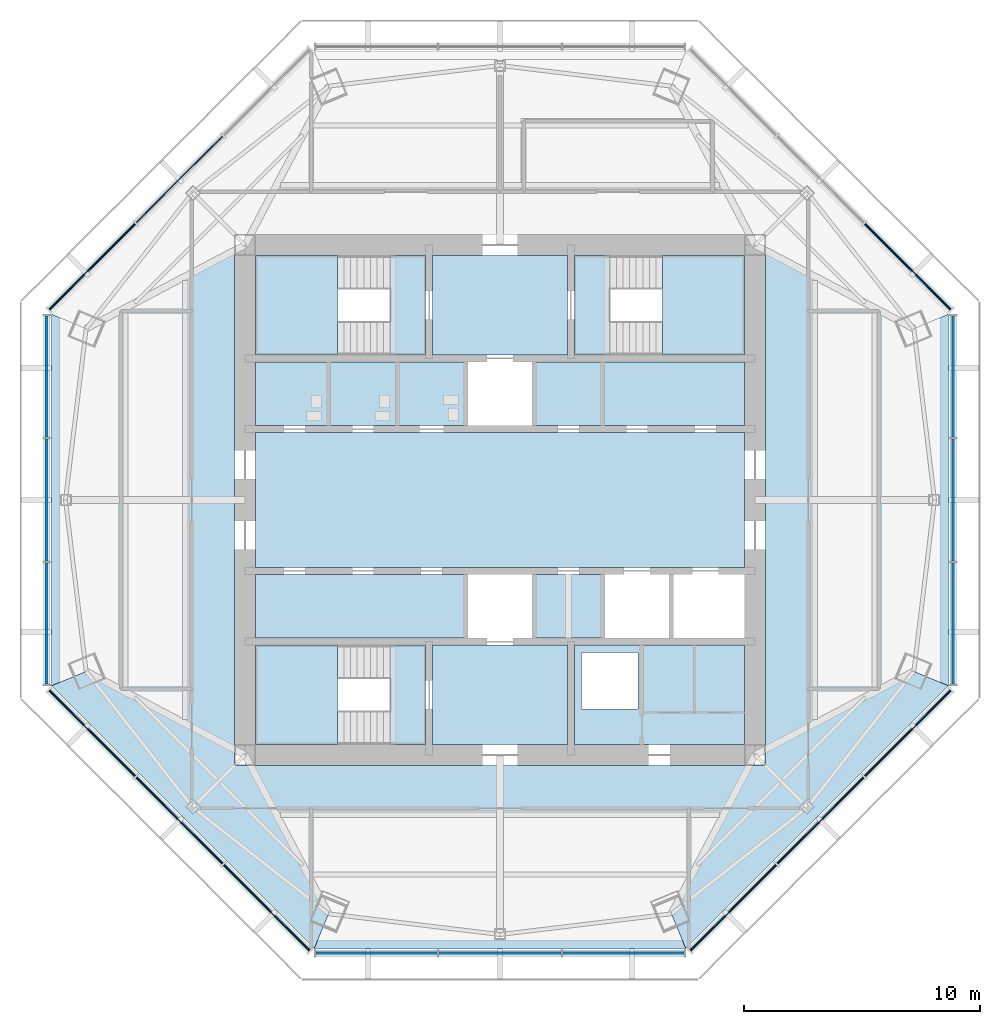
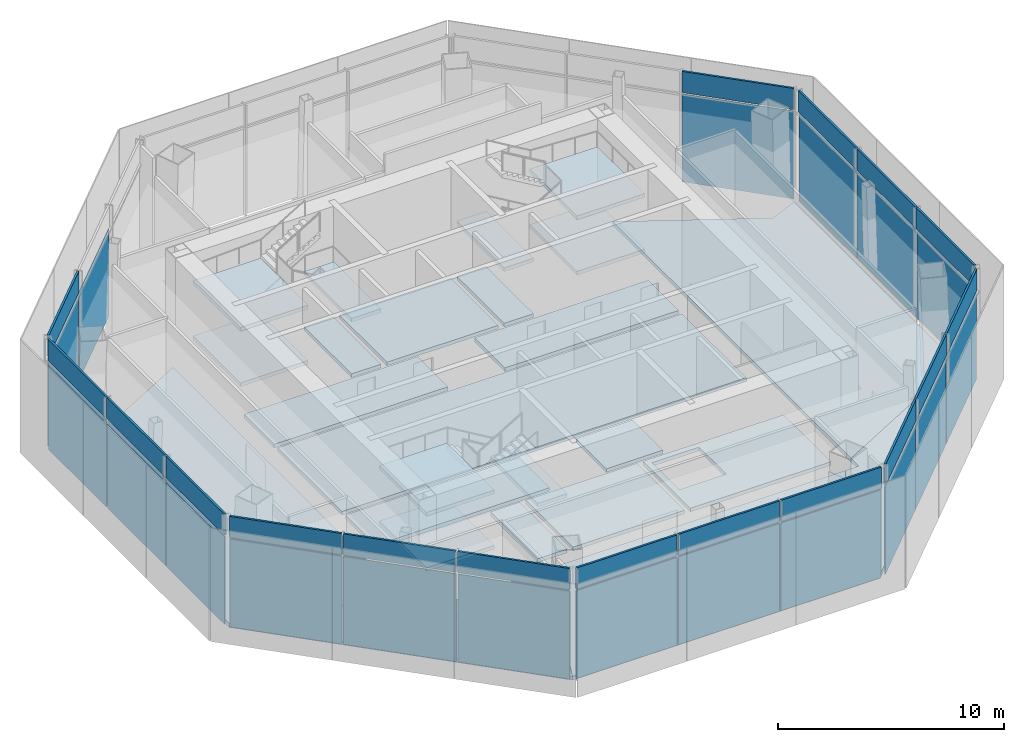
# One storey, part 3 of 11: 35 plates, 25 slabs, 10 elements without a shape of their own.
"""IFC4 building model written with IfcOpenShell, lengths in metres."""

from ifc_helpers import new_model, si_unit, direction, frame, origin, origin_2d, place, context, subcontext, project, spatial, polyline, rectangle, outline, extrude, source, transform, mapped, material, layer, layer_set, type_object, type_shapes, element, aggregate, save


model = new_model("IFC4")

# Units and contexts
model_context = context("Model", 3, precision=1e-05, world=origin(), true_north=direction((0.0, 1.0)))
body_context = subcontext(model_context, "Body", "Model", "MODEL_VIEW")
ifc_project = project(units=[si_unit("LENGTHUNIT", "METRE"), si_unit("AREAUNIT", "SQUARE_METRE"), si_unit("VOLUMEUNIT", "CUBIC_METRE"), si_unit("PLANEANGLEUNIT", "RADIAN"), si_unit("MASSUNIT", "GRAM", prefix="KILO")], contexts=[model_context])

# Site, building, storey
site_placement = place(None, origin())
site = spatial("IfcSite", under=ifc_project, at=site_placement, CompositionType="ELEMENT")
building_placement = place(site_placement, origin())
building = spatial("IfcBuilding", under=site, at=building_placement, Name="Mashrafa Tower", CompositionType="ELEMENT")
storey_placement = place(building_placement, frame((0.0, 0.0, 311.60009765625)))
storey = spatial("IfcBuildingStorey", under=building, at=storey_placement, Name="L77", CompositionType="ELEMENT", Elevation=311.60009765625)

# Slabs
ifc_material_1 = material(Name="Concrete C35/45", Category="concrete")
ifc_layer_1 = layer(ifc_material_1, 0.199951171875)
ifc_layer_set_1 = layer_set([ifc_layer_1], Name="Floor slab 200")
slab_type_1 = type_object("IfcSlabType", Name="Floor slab 200", PredefinedType="FLOOR", material=ifc_layer_set_1)
slab_1_placement = place(storey_placement, frame((0.0, 0.0, -0.2001953125)))
element("IfcSlab", 1, at=slab_1_placement, inside=storey, type_object=slab_type_1, Name="Floor slab L77 east bay", PredefinedType="FLOOR", context=body_context, shape_type="SweptSolid", body=[
    extrude(outline(polyline([(19.0, -7.8701171875), (17.527587890625, -7.260009765625), (11.25, -10.563232421875), (11.25, 10.563232421875), (17.527587890625, 7.260009765625), (19.0, 7.8701171875), (19.0, -7.8701171875)])), origin(), (0.0, 0.0, 1.0), 0.2001953125),
])
slab_2_placement = place(storey_placement, frame((0.0, 0.0, -0.2001953125)))
element("IfcSlab", 2, at=slab_2_placement, inside=storey, type_object=slab_type_1, Name="Floor slab L77 west bay", PredefinedType="FLOOR", context=body_context, shape_type="SweptSolid", body=[
    extrude(outline(polyline([(-19.0, 7.8701171875), (-17.527587890625, 7.260009765625), (-11.25, 10.563232421875), (-11.25, -10.563232421875), (-17.527587890625, -7.260009765625), (-19.0, -7.8701171875), (-19.0, 7.8701171875)])), origin(), (0.0, 0.0, 1.0), 0.2001953125),
])
slab_3_placement = place(storey_placement, frame((0.0, 0.0, -0.2001953125)))
element("IfcSlab", 3, at=slab_3_placement, inside=storey, type_object=slab_type_1, Name="Floor slab L77 south-west bay", PredefinedType="FLOOR", context=body_context, shape_type="SweptSolid", body=[
    extrude(outline(polyline([(-7.8701171875, -19.0), (-19.0, -7.8701171875), (-19.0, -7.8701171875), (-17.527587890625, -7.260009765625), (-11.25, -10.563232421875), (-11.25, -11.25), (-10.563232421875, -11.25), (-7.260009765625, -17.527587890625), (-7.8701171875, -19.0), (-7.8701171875, -19.0)])), origin(), (0.0, 0.0, 1.0), 0.2001953125),
])
slab_4_placement = place(storey_placement, frame((0.0, 0.0, -0.2001953125)))
element("IfcSlab", 4, at=slab_4_placement, inside=storey, type_object=slab_type_1, Name="Floor slab L77 south bay", PredefinedType="FLOOR", context=body_context, shape_type="SweptSolid", body=[
    extrude(outline(polyline([(-7.8701171875, -19.0), (-7.260009765625, -17.527587890625), (-10.563232421875, -11.25), (10.563232421875, -11.25), (7.260009765625, -17.527587890625), (7.8701171875, -19.0), (-7.8701171875, -19.0)])), origin(), (0.0, 0.0, 1.0), 0.2001953125),
])
slab_5_placement = place(storey_placement, frame((0.0, 0.0, -0.2001953125)))
element("IfcSlab", 5, at=slab_5_placement, inside=storey, type_object=slab_type_1, Name="Floor slab L77 south-east bay", PredefinedType="FLOOR", context=body_context, shape_type="SweptSolid", body=[
    extrude(outline(polyline([(7.8701171875, -19.0), (7.260009765625, -17.527587890625), (10.563232421875, -11.25), (11.25, -11.25), (11.25, -10.563232421875), (17.527587890625, -7.260009765625), (19.0, -7.8701171875), (19.0, -7.8701171875), (7.8701171875, -19.0), (7.8701171875, -19.0)])), origin(), (0.0, 0.0, 1.0), 0.2001953125),
])
slab_6_placement = place(storey_placement, frame((0.0, 0.0, -0.2001953125)))
element("IfcSlab", 6, at=slab_6_placement, inside=storey, type_object=slab_type_1, Name="Core floor lift hall L77", PredefinedType="FLOOR", context=body_context, shape_type="SweptSolid", body=[
    extrude(outline(polyline([(-10.35009765625, 2.85009765625), (10.35009765625, 2.85009765625), (10.35009765625, -2.85009765625), (-10.35009765625, -2.85009765625), (-10.35009765625, 2.85009765625)])), origin(), (0.0, 0.0, 1.0), 0.2001953125),
])
slab_7_placement = place(storey_placement, frame((0.0, 0.0, -0.2001953125)))
element("IfcSlab", 7, at=slab_7_placement, inside=storey, type_object=slab_type_1, Name="Core floor riser and electrical band L77", PredefinedType="FLOOR", context=body_context, shape_type="SweptSolid", body=[
    extrude(outline(polyline([(10.35009765625, -6.14990234375), (10.35009765625, -10.35009765625), (3.14990234375, -10.35009765625), (3.14990234375, -6.14990234375), (10.35009765625, -6.14990234375)]), holes=[polyline([(3.449951171875, -8.85009765625), (5.85009765625, -8.85009765625), (5.85009765625, -6.449951171875), (3.449951171875, -6.449951171875), (3.449951171875, -8.85009765625)])]), origin(), (0.0, 0.0, 1.0), 0.2001953125),
])
slab_8_placement = place(storey_placement, frame((0.0, 0.0, -0.2001953125)))
element("IfcSlab", 8, at=slab_8_placement, inside=storey, type_object=slab_type_1, Name="Core floor lift cell L77", PredefinedType="FLOOR", context=body_context, shape_type="SweptSolid", body=[
    extrude(outline(polyline([(10.35009765625, 5.85009765625), (10.35009765625, 3.14990234375), (1.449951171875, 3.14990234375), (1.449951171875, 5.85009765625), (10.35009765625, 5.85009765625)])), origin(), (0.0, 0.0, 1.0), 0.2001953125),
])
slab_9_placement = place(storey_placement, frame((0.0, 0.0, -0.2001953125)))
element("IfcSlab", 9, at=slab_9_placement, inside=storey, type_object=slab_type_1, Name="Core floor lift cell L77", PredefinedType="FLOOR", context=body_context, shape_type="SweptSolid", body=[
    extrude(outline(polyline([(-1.449951171875, 3.14990234375), (-10.35009765625, 3.14990234375), (-10.35009765625, 5.85009765625), (-1.449951171875, 5.85009765625), (-1.449951171875, 3.14990234375)])), origin(), (0.0, 0.0, 1.0), 0.2001953125),
])
slab_10_placement = place(storey_placement, frame((0.0, 0.0, -0.2001953125)))
element("IfcSlab", 10, at=slab_10_placement, inside=storey, type_object=slab_type_1, Name="Core floor lift cell L77", PredefinedType="FLOOR", context=body_context, shape_type="SweptSolid", body=[
    extrude(outline(polyline([(-1.449951171875, -3.14990234375), (-1.449951171875, -5.85009765625), (-10.35009765625, -5.85009765625), (-10.35009765625, -3.14990234375), (-1.449951171875, -3.14990234375)])), origin(), (0.0, 0.0, 1.0), 0.2001953125),
])
slab_11_placement = place(storey_placement, frame((0.0, 0.0, -0.2001953125)))
element("IfcSlab", 11, at=slab_11_placement, inside=storey, type_object=slab_type_1, Name="Core floor fire-fighting lobby south L77", PredefinedType="FLOOR", context=body_context, shape_type="SweptSolid", body=[
    extrude(outline(polyline([(2.85009765625, -6.14990234375), (2.85009765625, -10.35009765625), (-2.85009765625, -10.35009765625), (-2.85009765625, -6.14990234375), (2.85009765625, -6.14990234375)])), origin(), (0.0, 0.0, 1.0), 0.2001953125),
])
slab_12_placement = place(storey_placement, frame((0.0, 0.0, -0.2001953125)))
element("IfcSlab", 12, at=slab_12_placement, inside=storey, type_object=slab_type_1, Name="Core floor fire-fighting lobby north L77", PredefinedType="FLOOR", context=body_context, shape_type="SweptSolid", body=[
    extrude(outline(polyline([(-2.85009765625, 10.35009765625), (2.85009765625, 10.35009765625), (2.85009765625, 6.14990234375), (-2.85009765625, 6.14990234375), (-2.85009765625, 10.35009765625)])), origin(), (0.0, 0.0, 1.0), 0.2001953125),
])
slab_13_placement = place(storey_placement, frame((0.0, 0.0, -0.2001953125)))
element("IfcSlab", 13, at=slab_13_placement, inside=storey, type_object=slab_type_1, Name="Core floor lift cell L77", PredefinedType="FLOOR", context=body_context, shape_type="SweptSolid", body=[
    extrude(outline(polyline([(4.35009765625, -3.14990234375), (4.35009765625, -5.85009765625), (1.449951171875, -5.85009765625), (1.449951171875, -3.14990234375), (4.35009765625, -3.14990234375)])), origin(), (0.0, 0.0, 1.0), 0.2001953125),
])

# Stair, slabs
ifc_material_2 = material(Name="Exit stair 1400")
stair_type = type_object("IfcStairType", Name="Exit stair 1400", PredefinedType="HALF_TURN_STAIR", material=ifc_material_2)
stair_1_placement = place(storey_placement, origin())
stair_1 = element("IfcStair", 14, at=stair_1_placement, inside=storey, type_object=stair_type, Name="Stair S1 L77", PredefinedType="HALF_TURN_STAIR")
ifc_material_3 = material(Name="Concrete C32/40", Category="concrete")
ifc_layer_2 = layer(ifc_material_3, 0.199951171875)
ifc_layer_set_2 = layer_set([ifc_layer_2], Name="Stair landing 200")
slab_type_2 = type_object("IfcSlabType", Name="Stair landing 200", PredefinedType="LANDING", material=ifc_layer_set_2)
slab_14_placement = place(storey_placement, frame((0.0, 0.0, -0.2001953125)))
slab_14 = element("IfcSlab", 15, at=slab_14_placement, type_object=slab_type_2, Name="S1 landing 1", PredefinedType="LANDING", context=body_context, shape_type="SweptSolid", body=[
    extrude(outline(polyline([(-4.659912109375, 6.14990234375), (-3.14990234375, 6.14990234375), (-3.14990234375, 10.35009765625), (-4.659912109375, 10.35009765625), (-4.659912109375, 6.14990234375)])), origin(), (0.0, 0.0, 1.0), 0.2001953125),
])
slab_15_placement = place(storey_placement, frame((0.0, 0.0, 1.2998046875)))
slab_15 = element("IfcSlab", 16, at=slab_15_placement, type_object=slab_type_2, Name="S1 landing 2", PredefinedType="LANDING", context=body_context, shape_type="SweptSolid", body=[
    extrude(outline(polyline([(-10.35009765625, 6.14990234375), (-6.8798828125, 6.14990234375), (-6.8798828125, 10.35009765625), (-10.35009765625, 10.35009765625), (-10.35009765625, 6.14990234375)])), origin(), (0.0, 0.0, 1.0), 0.2001953125),
])
slab_16_placement = place(storey_placement, frame((0.0, 0.0, 2.7998046875)))
slab_16 = element("IfcSlab", 17, at=slab_16_placement, type_object=slab_type_2, Name="S1 landing 3", PredefinedType="LANDING", context=body_context, shape_type="SweptSolid", body=[
    extrude(outline(polyline([(-4.659912109375, 6.14990234375), (-3.14990234375, 6.14990234375), (-3.14990234375, 10.35009765625), (-4.659912109375, 10.35009765625), (-4.659912109375, 6.14990234375)])), origin(), (0.0, 0.0, 1.0), 0.2001953125),
])
slab_17_placement = place(storey_placement, frame((0.0, 0.0, 4.2998046875)))
slab_17 = element("IfcSlab", 18, at=slab_17_placement, type_object=slab_type_2, Name="S1 landing 4", PredefinedType="LANDING", context=body_context, shape_type="SweptSolid", body=[
    extrude(outline(polyline([(-10.35009765625, 6.14990234375), (-6.8798828125, 6.14990234375), (-6.8798828125, 10.35009765625), (-10.35009765625, 10.35009765625), (-10.35009765625, 6.14990234375)])), origin(), (0.0, 0.0, 1.0), 0.2001953125),
])
aggregate(stair_1, [slab_14, slab_15, slab_16, slab_17])

stair_2_placement = place(storey_placement, origin())
stair_2 = element("IfcStair", 19, at=stair_2_placement, inside=storey, type_object=stair_type, Name="Stair S2 L77", PredefinedType="HALF_TURN_STAIR")
slab_18_placement = place(storey_placement, frame((0.0, 0.0, -0.2001953125)))
slab_18 = element("IfcSlab", 20, at=slab_18_placement, type_object=slab_type_2, Name="S2 landing 1", PredefinedType="LANDING", context=body_context, shape_type="SweptSolid", body=[
    extrude(outline(polyline([(3.14990234375, 6.14990234375), (4.659912109375, 6.14990234375), (4.659912109375, 10.35009765625), (3.14990234375, 10.35009765625), (3.14990234375, 6.14990234375)])), origin(), (0.0, 0.0, 1.0), 0.2001953125),
])
slab_19_placement = place(storey_placement, frame((0.0, 0.0, 1.2998046875)))
slab_19 = element("IfcSlab", 21, at=slab_19_placement, type_object=slab_type_2, Name="S2 landing 2", PredefinedType="LANDING", context=body_context, shape_type="SweptSolid", body=[
    extrude(outline(polyline([(6.8798828125, 6.14990234375), (10.35009765625, 6.14990234375), (10.35009765625, 10.35009765625), (6.8798828125, 10.35009765625), (6.8798828125, 6.14990234375)])), origin(), (0.0, 0.0, 1.0), 0.2001953125),
])
slab_20_placement = place(storey_placement, frame((0.0, 0.0, 2.7998046875)))
slab_20 = element("IfcSlab", 22, at=slab_20_placement, type_object=slab_type_2, Name="S2 landing 3", PredefinedType="LANDING", context=body_context, shape_type="SweptSolid", body=[
    extrude(outline(polyline([(3.14990234375, 6.14990234375), (4.659912109375, 6.14990234375), (4.659912109375, 10.35009765625), (3.14990234375, 10.35009765625), (3.14990234375, 6.14990234375)])), origin(), (0.0, 0.0, 1.0), 0.2001953125),
])
slab_21_placement = place(storey_placement, frame((0.0, 0.0, 4.2998046875)))
slab_21 = element("IfcSlab", 23, at=slab_21_placement, type_object=slab_type_2, Name="S2 landing 4", PredefinedType="LANDING", context=body_context, shape_type="SweptSolid", body=[
    extrude(outline(polyline([(6.8798828125, 6.14990234375), (10.35009765625, 6.14990234375), (10.35009765625, 10.35009765625), (6.8798828125, 10.35009765625), (6.8798828125, 6.14990234375)])), origin(), (0.0, 0.0, 1.0), 0.2001953125),
])
aggregate(stair_2, [slab_18, slab_19, slab_20, slab_21])

stair_3_placement = place(storey_placement, origin())
stair_3 = element("IfcStair", 24, at=stair_3_placement, inside=storey, type_object=stair_type, Name="Stair S3 L77", PredefinedType="HALF_TURN_STAIR")
slab_22_placement = place(storey_placement, frame((0.0, 0.0, -0.2001953125)))
slab_22 = element("IfcSlab", 25, at=slab_22_placement, type_object=slab_type_2, Name="S3 landing 1", PredefinedType="LANDING", context=body_context, shape_type="SweptSolid", body=[
    extrude(outline(polyline([(-4.659912109375, -10.35009765625), (-3.14990234375, -10.35009765625), (-3.14990234375, -6.14990234375), (-4.659912109375, -6.14990234375), (-4.659912109375, -10.35009765625)])), origin(), (0.0, 0.0, 1.0), 0.2001953125),
])
slab_23_placement = place(storey_placement, frame((0.0, 0.0, 1.2998046875)))
slab_23 = element("IfcSlab", 26, at=slab_23_placement, type_object=slab_type_2, Name="S3 landing 2", PredefinedType="LANDING", context=body_context, shape_type="SweptSolid", body=[
    extrude(outline(polyline([(-10.35009765625, -10.35009765625), (-6.8798828125, -10.35009765625), (-6.8798828125, -6.14990234375), (-10.35009765625, -6.14990234375), (-10.35009765625, -10.35009765625)])), origin(), (0.0, 0.0, 1.0), 0.2001953125),
])
slab_24_placement = place(storey_placement, frame((0.0, 0.0, 2.7998046875)))
slab_24 = element("IfcSlab", 27, at=slab_24_placement, type_object=slab_type_2, Name="S3 landing 3", PredefinedType="LANDING", context=body_context, shape_type="SweptSolid", body=[
    extrude(outline(polyline([(-4.659912109375, -10.35009765625), (-3.14990234375, -10.35009765625), (-3.14990234375, -6.14990234375), (-4.659912109375, -6.14990234375), (-4.659912109375, -10.35009765625)])), origin(), (0.0, 0.0, 1.0), 0.2001953125),
])
slab_25_placement = place(storey_placement, frame((0.0, 0.0, 4.2998046875)))
slab_25 = element("IfcSlab", 28, at=slab_25_placement, type_object=slab_type_2, Name="S3 landing 4", PredefinedType="LANDING", context=body_context, shape_type="SweptSolid", body=[
    extrude(outline(polyline([(-10.35009765625, -10.35009765625), (-6.8798828125, -10.35009765625), (-6.8798828125, -6.14990234375), (-10.35009765625, -6.14990234375), (-10.35009765625, -10.35009765625)])), origin(), (0.0, 0.0, 1.0), 0.2001953125),
])
aggregate(stair_3, [slab_22, slab_23, slab_24, slab_25])

# Curtain wall, plates
ifc_material_4 = material(Name="Unitised aluminium curtain wall", Category="aluminium")
curtain_wall_type = type_object("IfcCurtainWallType", Name="Observation curtain wall CW-F 350 deep", PredefinedType="NOTDEFINED", material=ifc_material_4)
curtain_wall_1_placement = place(storey_placement, origin())
curtain_wall_1 = element("IfcCurtainWall", 29, at=curtain_wall_1_placement, inside=storey, type_object=curtain_wall_type, Name="Observation curtain wall L77 east", PredefinedType="NOTDEFINED")
ifc_material_5 = material(Name="Laminated insulated double glazing, extra clear", Category="glass")
ifc_layer_3 = layer(ifc_material_5, 0.031982421875)
ifc_layer_set_3 = layer_set([ifc_layer_3], Name="Vision panel CW-F 32")
plate_type_1 = type_object("IfcPlateType", Name="Vision panel CW-F 32", PredefinedType="CURTAIN_PANEL", material=ifc_layer_set_3)
shared_shape_1 = source(origin(), body_context, "Body", "SweptSolid", [
    extrude(rectangle(XDim=5.134521484375, YDim=0.031982421875, at=origin_2d()), origin(), (0.0, 0.0, 1.0), 4.75),
])
plate_1_placement = place(storey_placement, frame((19.199951171875, -5.228271484375, 0.0), z_axis=(0.0, 0.0, 1.0), x_axis=(0.0, 1.0, 0.0)))
plate_1 = element("IfcPlate", 30, at=plate_1_placement, type_object=plate_type_1, Name="CW-F vision panel 1", PredefinedType="CURTAIN_PANEL", context=body_context, shape_type="MappedRepresentation", body=[
    mapped(shared_shape_1, transform((0.0, 0.0, 0.0))),
])
plate_2_placement = place(storey_placement, frame((19.199951171875, 5.228271484375, 0.0), z_axis=(0.0, 0.0, 1.0), x_axis=(0.0, 1.0, 0.0)))
plate_2 = element("IfcPlate", 31, at=plate_2_placement, type_object=plate_type_1, Name="CW-F vision panel 3", PredefinedType="CURTAIN_PANEL", context=body_context, shape_type="MappedRepresentation", body=[
    mapped(shared_shape_1, transform((0.0, 0.0, 0.0))),
])

# Curtain wall, plate
curtain_wall_2_placement = place(storey_placement, origin())
curtain_wall_2 = element("IfcCurtainWall", 32, at=curtain_wall_2_placement, inside=storey, type_object=curtain_wall_type, Name="Observation curtain wall L77 north-east", PredefinedType="NOTDEFINED")
plate_3_placement = place(storey_placement, frame((17.2734375, 9.879638671875, 0.0), z_axis=(0.0, 0.0, 1.0), x_axis=(-0.707106781187, 0.707106781187, 0.0)))
plate_3 = element("IfcPlate", 33, at=plate_3_placement, type_object=plate_type_1, Name="CW-F vision panel 1", PredefinedType="CURTAIN_PANEL", context=body_context, shape_type="MappedRepresentation", body=[
    mapped(shared_shape_1, transform((0.0, 0.0, 0.0))),
])

curtain_wall_3_placement = place(storey_placement, origin())
curtain_wall_3 = element("IfcCurtainWall", 34, at=curtain_wall_3_placement, inside=storey, type_object=curtain_wall_type, Name="Observation curtain wall L77 north-west", PredefinedType="NOTDEFINED")
plate_4_placement = place(storey_placement, frame((-17.2734375, 9.879638671875, 0.0), z_axis=(0.0, 0.0, 1.0), x_axis=(-0.707106781187, -0.707106781187, 0.0)))
plate_4 = element("IfcPlate", 35, at=plate_4_placement, type_object=plate_type_1, Name="CW-F vision panel 3", PredefinedType="CURTAIN_PANEL", context=body_context, shape_type="MappedRepresentation", body=[
    mapped(shared_shape_1, transform((0.0, 0.0, 0.0))),
])

# Curtain wall, plates
curtain_wall_4_placement = place(storey_placement, origin())
curtain_wall_4 = element("IfcCurtainWall", 36, at=curtain_wall_4_placement, inside=storey, type_object=curtain_wall_type, Name="Observation curtain wall L77 west", PredefinedType="NOTDEFINED")
plate_5_placement = place(storey_placement, frame((-19.199951171875, 5.228271484375, 0.0), z_axis=(0.0, 0.0, 1.0), x_axis=(0.0, -1.0, 0.0)))
plate_5 = element("IfcPlate", 37, at=plate_5_placement, type_object=plate_type_1, Name="CW-F vision panel 1", PredefinedType="CURTAIN_PANEL", context=body_context, shape_type="MappedRepresentation", body=[
    mapped(shared_shape_1, transform((0.0, 0.0, 0.0))),
])
plate_6_placement = place(storey_placement, frame((-19.199951171875, -5.228271484375, 0.0), z_axis=(0.0, 0.0, 1.0), x_axis=(0.0, -1.0, 0.0)))
plate_6 = element("IfcPlate", 38, at=plate_6_placement, type_object=plate_type_1, Name="CW-F vision panel 3", PredefinedType="CURTAIN_PANEL", context=body_context, shape_type="MappedRepresentation", body=[
    mapped(shared_shape_1, transform((0.0, 0.0, 0.0))),
])

curtain_wall_5_placement = place(storey_placement, origin())
curtain_wall_5 = element("IfcCurtainWall", 39, at=curtain_wall_5_placement, inside=storey, type_object=curtain_wall_type, Name="Observation curtain wall L77 south-west", PredefinedType="NOTDEFINED")
plate_7_placement = place(storey_placement, frame((-17.2734375, -9.879638671875, 0.0), z_axis=(0.0, 0.0, 1.0), x_axis=(0.707106781187, -0.707106781187, 0.0)))
plate_7 = element("IfcPlate", 40, at=plate_7_placement, type_object=plate_type_1, Name="CW-F vision panel 1", PredefinedType="CURTAIN_PANEL", context=body_context, shape_type="MappedRepresentation", body=[
    mapped(shared_shape_1, transform((0.0, 0.0, 0.0))),
])
plate_8_placement = place(storey_placement, frame((-9.879638671875, -17.2734375, 0.0), z_axis=(0.0, 0.0, 1.0), x_axis=(0.707106781187, -0.707106781187, 0.0)))
plate_8 = element("IfcPlate", 41, at=plate_8_placement, type_object=plate_type_1, Name="CW-F vision panel 3", PredefinedType="CURTAIN_PANEL", context=body_context, shape_type="MappedRepresentation", body=[
    mapped(shared_shape_1, transform((0.0, 0.0, 0.0))),
])

curtain_wall_6_placement = place(storey_placement, origin())
curtain_wall_6 = element("IfcCurtainWall", 42, at=curtain_wall_6_placement, inside=storey, type_object=curtain_wall_type, Name="Observation curtain wall L77 south", PredefinedType="NOTDEFINED")
plate_9_placement = place(storey_placement, frame((-5.228271484375, -19.199951171875, 0.0), z_axis=(0.0, 0.0, 1.0), x_axis=(1.0, 0.0, 0.0)))
plate_9 = element("IfcPlate", 43, at=plate_9_placement, type_object=plate_type_1, Name="CW-F vision panel 1", PredefinedType="CURTAIN_PANEL", context=body_context, shape_type="MappedRepresentation", body=[
    mapped(shared_shape_1, transform((0.0, 0.0, 0.0))),
])
plate_10_placement = place(storey_placement, frame((5.228271484375, -19.199951171875, 0.0), z_axis=(0.0, 0.0, 1.0), x_axis=(1.0, 0.0, 0.0)))
plate_10 = element("IfcPlate", 44, at=plate_10_placement, type_object=plate_type_1, Name="CW-F vision panel 3", PredefinedType="CURTAIN_PANEL", context=body_context, shape_type="MappedRepresentation", body=[
    mapped(shared_shape_1, transform((0.0, 0.0, 0.0))),
])

curtain_wall_7_placement = place(storey_placement, origin())
curtain_wall_7 = element("IfcCurtainWall", 45, at=curtain_wall_7_placement, inside=storey, type_object=curtain_wall_type, Name="Observation curtain wall L77 south-east", PredefinedType="NOTDEFINED")
plate_11_placement = place(storey_placement, frame((9.879638671875, -17.2734375, 0.0), z_axis=(0.0, 0.0, 1.0), x_axis=(0.707106781187, 0.707106781187, 0.0)))
plate_11 = element("IfcPlate", 46, at=plate_11_placement, type_object=plate_type_1, Name="CW-F vision panel 1", PredefinedType="CURTAIN_PANEL", context=body_context, shape_type="MappedRepresentation", body=[
    mapped(shared_shape_1, transform((0.0, 0.0, 0.0))),
])
plate_12_placement = place(storey_placement, frame((17.2734375, -9.879638671875, 0.0), z_axis=(0.0, 0.0, 1.0), x_axis=(0.707106781187, 0.707106781187, 0.0)))
plate_12 = element("IfcPlate", 47, at=plate_12_placement, type_object=plate_type_1, Name="CW-F vision panel 3", PredefinedType="CURTAIN_PANEL", context=body_context, shape_type="MappedRepresentation", body=[
    mapped(shared_shape_1, transform((0.0, 0.0, 0.0))),
])

# Plate
ifc_material_6 = material(Name="Insulated aluminium spandrel panel", Category="aluminium")
ifc_layer_4 = layer(ifc_material_6, 0.10009765625)
ifc_layer_set_4 = layer_set([ifc_layer_4], Name="Spandrel panel CW-F 100")
plate_type_2 = type_object("IfcPlateType", Name="Spandrel panel CW-F 100", PredefinedType="CURTAIN_PANEL", material=ifc_layer_set_4)
shared_shape_2 = source(origin(), body_context, "Body", "SweptSolid", [
    extrude(rectangle(XDim=5.134521484375, YDim=0.10009765625, at=origin_2d()), origin(), (0.0, 0.0, 1.0), 1.14990234375),
])
plate_13_placement = place(storey_placement, frame((19.199951171875, -5.228271484375, 4.849853515625), z_axis=(0.0, 0.0, 1.0), x_axis=(0.0, 1.0, 0.0)))
plate_13 = element("IfcPlate", 48, at=plate_13_placement, type_object=plate_type_2, Name="CW-F spandrel panel 1", PredefinedType="CURTAIN_PANEL", context=body_context, shape_type="MappedRepresentation", body=[
    mapped(shared_shape_2, transform((0.0, 0.0, 0.0))),
])

plate_14_placement = place(storey_placement, frame((19.199951171875, 5.228271484375, 4.849853515625), z_axis=(0.0, 0.0, 1.0), x_axis=(0.0, 1.0, 0.0)))
plate_14 = element("IfcPlate", 49, at=plate_14_placement, type_object=plate_type_2, Name="CW-F spandrel panel 3", PredefinedType="CURTAIN_PANEL", context=body_context, shape_type="MappedRepresentation", body=[
    mapped(shared_shape_2, transform((0.0, 0.0, 0.0))),
])

plate_15_placement = place(storey_placement, frame((17.2734375, 9.879638671875, 4.849853515625), z_axis=(0.0, 0.0, 1.0), x_axis=(-0.707106781187, 0.707106781187, 0.0)))
plate_15 = element("IfcPlate", 50, at=plate_15_placement, type_object=plate_type_2, Name="CW-F spandrel panel 1", PredefinedType="CURTAIN_PANEL", context=body_context, shape_type="MappedRepresentation", body=[
    mapped(shared_shape_2, transform((0.0, 0.0, 0.0))),
])

aggregate(curtain_wall_2, [plate_3, plate_15])

plate_16_placement = place(storey_placement, frame((-17.2734375, 9.879638671875, 4.849853515625), z_axis=(0.0, 0.0, 1.0), x_axis=(-0.707106781187, -0.707106781187, 0.0)))
plate_16 = element("IfcPlate", 51, at=plate_16_placement, type_object=plate_type_2, Name="CW-F spandrel panel 3", PredefinedType="CURTAIN_PANEL", context=body_context, shape_type="MappedRepresentation", body=[
    mapped(shared_shape_2, transform((0.0, 0.0, 0.0))),
])

plate_17_placement = place(storey_placement, frame((-19.199951171875, 5.228271484375, 4.849853515625), z_axis=(0.0, 0.0, 1.0), x_axis=(0.0, -1.0, 0.0)))
plate_17 = element("IfcPlate", 52, at=plate_17_placement, type_object=plate_type_2, Name="CW-F spandrel panel 1", PredefinedType="CURTAIN_PANEL", context=body_context, shape_type="MappedRepresentation", body=[
    mapped(shared_shape_2, transform((0.0, 0.0, 0.0))),
])

plate_18_placement = place(storey_placement, frame((-19.199951171875, -5.228271484375, 4.849853515625), z_axis=(0.0, 0.0, 1.0), x_axis=(0.0, -1.0, 0.0)))
plate_18 = element("IfcPlate", 53, at=plate_18_placement, type_object=plate_type_2, Name="CW-F spandrel panel 3", PredefinedType="CURTAIN_PANEL", context=body_context, shape_type="MappedRepresentation", body=[
    mapped(shared_shape_2, transform((0.0, 0.0, 0.0))),
])

plate_19_placement = place(storey_placement, frame((-17.2734375, -9.879638671875, 4.849853515625), z_axis=(0.0, 0.0, 1.0), x_axis=(0.707106781187, -0.707106781187, 0.0)))
plate_19 = element("IfcPlate", 54, at=plate_19_placement, type_object=plate_type_2, Name="CW-F spandrel panel 1", PredefinedType="CURTAIN_PANEL", context=body_context, shape_type="MappedRepresentation", body=[
    mapped(shared_shape_2, transform((0.0, 0.0, 0.0))),
])

plate_20_placement = place(storey_placement, frame((-9.879638671875, -17.2734375, 4.849853515625), z_axis=(0.0, 0.0, 1.0), x_axis=(0.707106781187, -0.707106781187, 0.0)))
plate_20 = element("IfcPlate", 55, at=plate_20_placement, type_object=plate_type_2, Name="CW-F spandrel panel 3", PredefinedType="CURTAIN_PANEL", context=body_context, shape_type="MappedRepresentation", body=[
    mapped(shared_shape_2, transform((0.0, 0.0, 0.0))),
])

plate_21_placement = place(storey_placement, frame((-5.228271484375, -19.199951171875, 4.849853515625), z_axis=(0.0, 0.0, 1.0), x_axis=(1.0, 0.0, 0.0)))
plate_21 = element("IfcPlate", 56, at=plate_21_placement, type_object=plate_type_2, Name="CW-F spandrel panel 1", PredefinedType="CURTAIN_PANEL", context=body_context, shape_type="MappedRepresentation", body=[
    mapped(shared_shape_2, transform((0.0, 0.0, 0.0))),
])

plate_22_placement = place(storey_placement, frame((5.228271484375, -19.199951171875, 4.849853515625), z_axis=(0.0, 0.0, 1.0), x_axis=(1.0, 0.0, 0.0)))
plate_22 = element("IfcPlate", 57, at=plate_22_placement, type_object=plate_type_2, Name="CW-F spandrel panel 3", PredefinedType="CURTAIN_PANEL", context=body_context, shape_type="MappedRepresentation", body=[
    mapped(shared_shape_2, transform((0.0, 0.0, 0.0))),
])

plate_23_placement = place(storey_placement, frame((9.879638671875, -17.2734375, 4.849853515625), z_axis=(0.0, 0.0, 1.0), x_axis=(0.707106781187, 0.707106781187, 0.0)))
plate_23 = element("IfcPlate", 58, at=plate_23_placement, type_object=plate_type_2, Name="CW-F spandrel panel 1", PredefinedType="CURTAIN_PANEL", context=body_context, shape_type="MappedRepresentation", body=[
    mapped(shared_shape_2, transform((0.0, 0.0, 0.0))),
])

plate_24_placement = place(storey_placement, frame((17.2734375, -9.879638671875, 4.849853515625), z_axis=(0.0, 0.0, 1.0), x_axis=(0.707106781187, 0.707106781187, 0.0)))
plate_24 = element("IfcPlate", 59, at=plate_24_placement, type_object=plate_type_2, Name="CW-F spandrel panel 3", PredefinedType="CURTAIN_PANEL", context=body_context, shape_type="MappedRepresentation", body=[
    mapped(shared_shape_2, transform((0.0, 0.0, 0.0))),
])

shared_shape_3 = source(origin(), body_context, "Body", "SweptSolid", [
    extrude(rectangle(XDim=5.171875, YDim=0.031982421875, at=origin_2d()), origin(), (0.0, 0.0, 1.0), 4.75),
])
type_shapes(plate_type_1, [shared_shape_1, shared_shape_3])
plate_25_placement = place(storey_placement, frame((19.199951171875, 0.0, 0.0), z_axis=(0.0, 0.0, 1.0), x_axis=(0.0, 1.0, 0.0)))
plate_25 = element("IfcPlate", 60, at=plate_25_placement, type_object=plate_type_1, Name="CW-F vision panel 2", PredefinedType="CURTAIN_PANEL", context=body_context, shape_type="MappedRepresentation", body=[
    mapped(shared_shape_3, transform((0.0, 0.0, 0.0))),
])

plate_26_placement = place(storey_placement, frame((-13.576416015625, 13.576416015625, 0.0), z_axis=(0.0, 0.0, 1.0), x_axis=(-0.707106781187, -0.707106781187, 0.0)))
plate_26 = element("IfcPlate", 61, at=plate_26_placement, type_object=plate_type_1, Name="CW-F vision panel 2", PredefinedType="CURTAIN_PANEL", context=body_context, shape_type="MappedRepresentation", body=[
    mapped(shared_shape_3, transform((0.0, 0.0, 0.0))),
])

aggregate(curtain_wall_3, [plate_26, plate_4, plate_16])

plate_27_placement = place(storey_placement, frame((-19.199951171875, 0.0, 0.0), z_axis=(0.0, 0.0, 1.0), x_axis=(0.0, -1.0, 0.0)))
plate_27 = element("IfcPlate", 62, at=plate_27_placement, type_object=plate_type_1, Name="CW-F vision panel 2", PredefinedType="CURTAIN_PANEL", context=body_context, shape_type="MappedRepresentation", body=[
    mapped(shared_shape_3, transform((0.0, 0.0, 0.0))),
])

plate_28_placement = place(storey_placement, frame((-13.576416015625, -13.576416015625, 0.0), z_axis=(0.0, 0.0, 1.0), x_axis=(0.707106781187, -0.707106781187, 0.0)))
plate_28 = element("IfcPlate", 63, at=plate_28_placement, type_object=plate_type_1, Name="CW-F vision panel 2", PredefinedType="CURTAIN_PANEL", context=body_context, shape_type="MappedRepresentation", body=[
    mapped(shared_shape_3, transform((0.0, 0.0, 0.0))),
])

plate_29_placement = place(storey_placement, frame((0.0, -19.199951171875, 0.0), z_axis=(0.0, 0.0, 1.0), x_axis=(1.0, 0.0, 0.0)))
plate_29 = element("IfcPlate", 64, at=plate_29_placement, type_object=plate_type_1, Name="CW-F vision panel 2", PredefinedType="CURTAIN_PANEL", context=body_context, shape_type="MappedRepresentation", body=[
    mapped(shared_shape_3, transform((0.0, 0.0, 0.0))),
])

plate_30_placement = place(storey_placement, frame((13.576416015625, -13.576416015625, 0.0), z_axis=(0.0, 0.0, 1.0), x_axis=(0.707106781187, 0.707106781187, 0.0)))
plate_30 = element("IfcPlate", 65, at=plate_30_placement, type_object=plate_type_1, Name="CW-F vision panel 2", PredefinedType="CURTAIN_PANEL", context=body_context, shape_type="MappedRepresentation", body=[
    mapped(shared_shape_3, transform((0.0, 0.0, 0.0))),
])

shared_shape_4 = source(origin(), body_context, "Body", "SweptSolid", [
    extrude(rectangle(XDim=5.171875, YDim=0.10009765625, at=origin_2d()), origin(), (0.0, 0.0, 1.0), 1.14990234375),
])
type_shapes(plate_type_2, [shared_shape_2, shared_shape_4])
plate_31_placement = place(storey_placement, frame((19.199951171875, 0.0, 4.849853515625), z_axis=(0.0, 0.0, 1.0), x_axis=(0.0, 1.0, 0.0)))
plate_31 = element("IfcPlate", 66, at=plate_31_placement, type_object=plate_type_2, Name="CW-F spandrel panel 2", PredefinedType="CURTAIN_PANEL", context=body_context, shape_type="MappedRepresentation", body=[
    mapped(shared_shape_4, transform((0.0, 0.0, 0.0))),
])

aggregate(curtain_wall_1, [plate_1, plate_13, plate_25, plate_31, plate_2, plate_14])

plate_32_placement = place(storey_placement, frame((-19.199951171875, 0.0, 4.849853515625), z_axis=(0.0, 0.0, 1.0), x_axis=(0.0, -1.0, 0.0)))
plate_32 = element("IfcPlate", 67, at=plate_32_placement, type_object=plate_type_2, Name="CW-F spandrel panel 2", PredefinedType="CURTAIN_PANEL", context=body_context, shape_type="MappedRepresentation", body=[
    mapped(shared_shape_4, transform((0.0, 0.0, 0.0))),
])

aggregate(curtain_wall_4, [plate_5, plate_17, plate_27, plate_32, plate_6, plate_18])

plate_33_placement = place(storey_placement, frame((-13.576416015625, -13.576416015625, 4.849853515625), z_axis=(0.0, 0.0, 1.0), x_axis=(0.707106781187, -0.707106781187, 0.0)))
plate_33 = element("IfcPlate", 68, at=plate_33_placement, type_object=plate_type_2, Name="CW-F spandrel panel 2", PredefinedType="CURTAIN_PANEL", context=body_context, shape_type="MappedRepresentation", body=[
    mapped(shared_shape_4, transform((0.0, 0.0, 0.0))),
])

aggregate(curtain_wall_5, [plate_7, plate_19, plate_28, plate_33, plate_8, plate_20])

plate_34_placement = place(storey_placement, frame((0.0, -19.199951171875, 4.849853515625), z_axis=(0.0, 0.0, 1.0), x_axis=(1.0, 0.0, 0.0)))
plate_34 = element("IfcPlate", 69, at=plate_34_placement, type_object=plate_type_2, Name="CW-F spandrel panel 2", PredefinedType="CURTAIN_PANEL", context=body_context, shape_type="MappedRepresentation", body=[
    mapped(shared_shape_4, transform((0.0, 0.0, 0.0))),
])

aggregate(curtain_wall_6, [plate_9, plate_21, plate_29, plate_34, plate_10, plate_22])

plate_35_placement = place(storey_placement, frame((13.576416015625, -13.576416015625, 4.849853515625), z_axis=(0.0, 0.0, 1.0), x_axis=(0.707106781187, 0.707106781187, 0.0)))
plate_35 = element("IfcPlate", 70, at=plate_35_placement, type_object=plate_type_2, Name="CW-F spandrel panel 2", PredefinedType="CURTAIN_PANEL", context=body_context, shape_type="MappedRepresentation", body=[
    mapped(shared_shape_4, transform((0.0, 0.0, 0.0))),
])

aggregate(curtain_wall_7, [plate_11, plate_23, plate_30, plate_35, plate_12, plate_24])

save(model, "model.ifc")
